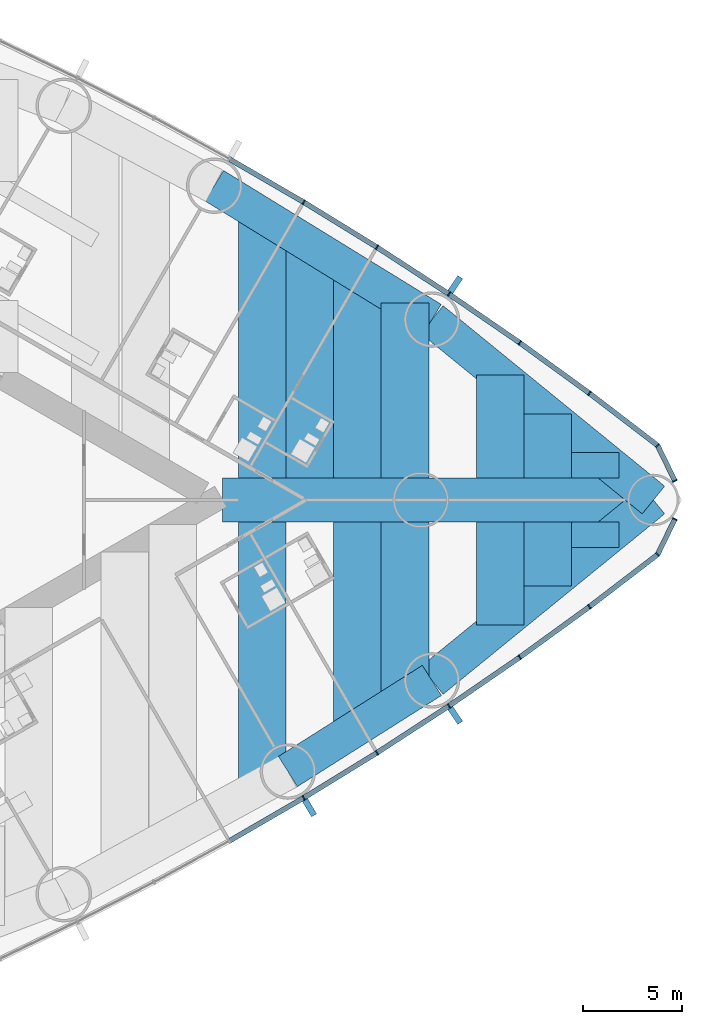
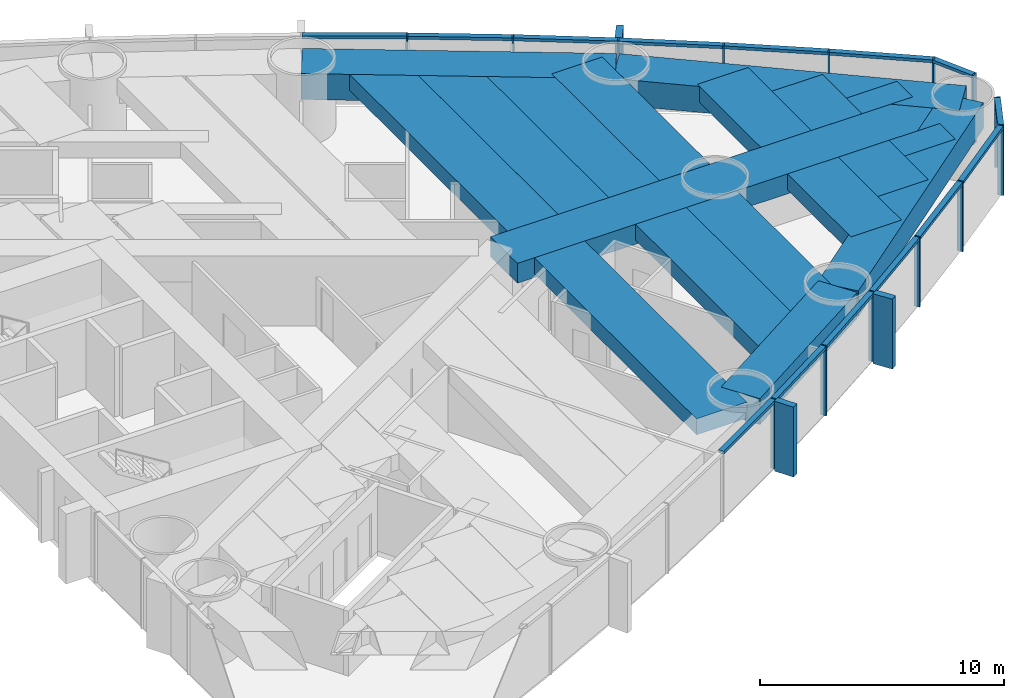
# One storey, part 8 of 19: 31 members, 18 beams, 2 elements without a shape of their own.
"""IFC4 building model written with IfcOpenShell, lengths in metres."""

from ifc_helpers import new_model, si_unit, direction, frame, origin, origin_2d, place, context, subcontext, project, spatial, rectangle, extrude, material, material_profile, profile_set, type_object, element, aggregate, save


model = new_model("IFC4")

# Units and contexts
model_context = context("Model", 3, precision=1e-05, world=origin(), true_north=direction((0.0, 1.0)))
body_context = subcontext(model_context, "Body", "Model", "MODEL_VIEW")
ifc_project = project(units=[si_unit("LENGTHUNIT", "METRE"), si_unit("AREAUNIT", "SQUARE_METRE"), si_unit("VOLUMEUNIT", "CUBIC_METRE"), si_unit("PLANEANGLEUNIT", "RADIAN"), si_unit("MASSUNIT", "GRAM", prefix="KILO")], contexts=[model_context])

# Site, building, storey
site_placement = place(None, origin())
site = spatial("IfcSite", under=ifc_project, at=site_placement, CompositionType="ELEMENT")
building_placement = place(site_placement, origin())
building = spatial("IfcBuilding", under=site, at=building_placement, Name="Lancet Gate Hotel", CompositionType="ELEMENT")
storey_placement = place(building_placement, frame((0.0, 0.0, 25.0)))
storey = spatial("IfcBuildingStorey", under=building, at=storey_placement, Name="L05", CompositionType="ELEMENT", Elevation=25.0)

# Curtain wall, members
ifc_material_1 = material(Name="Aluminium curtain wall", Category="aluminium")
curtain_wall_type = type_object("IfcCurtainWallType", Name="Tower unitised curtain wall", PredefinedType="USERDEFINED", material=ifc_material_1)
curtain_wall_1_placement = place(storey_placement, origin())
curtain_wall_1 = element("IfcCurtainWall", 1, at=curtain_wall_1_placement, inside=storey, type_object=curtain_wall_type, Name="T2 L05 curtain wall 2", ObjectType="UNITISED CURTAIN WALL", PredefinedType="USERDEFINED")
ifc_material_2 = material(Name="Aluminium mullion", Category="aluminium")
ifc_material_profile_1 = material_profile(ifc_material_2, rectangle(XDim=0.06494140625, YDim=0.25, at=origin_2d()), Name="MULLION 65x250")
ifc_profile_set_1 = profile_set([ifc_material_profile_1], Name="Aluminium mullion")
member_type_1 = type_object("IfcMemberType", Name="Aluminium mullion 65x250", PredefinedType="MULLION", material=ifc_profile_set_1)
member_1_placement = place(storey_placement, frame((55.590087890625, -15.03125, 0.0), z_axis=(0.0, 0.0, 1.0), x_axis=(0.858413008828, 0.512959166284, 0.0)))
member_1 = element("IfcMember", 2, at=member_1_placement, type_object=member_type_1, Name="T2 L05 curtain wall 2 mullion 8", PredefinedType="MULLION", context=body_context, shape_type="SweptSolid", body=[
    extrude(rectangle(XDim=0.06494140625, YDim=0.25, at=origin_2d()), origin(), (0.0, 0.0, 1.0), 3.5),
])
member_2_placement = place(storey_placement, frame((59.28515625, -12.7587890625, 0.0), z_axis=(0.0, 0.0, 1.0), x_axis=(0.845079420983, 0.534640788035, 0.0)))
member_2 = element("IfcMember", 3, at=member_2_placement, type_object=member_type_1, Name="T2 L05 curtain wall 2 mullion 9", PredefinedType="MULLION", context=body_context, shape_type="SweptSolid", body=[
    extrude(rectangle(XDim=0.06494140625, YDim=0.25, at=origin_2d()), origin(), (0.0, 0.0, 1.0), 3.5),
])
member_3_placement = place(storey_placement, frame((62.921142578125, -10.393310546875, 0.0), z_axis=(0.0, 0.0, 1.0), x_axis=(0.831198325377, 0.555976028162, 0.0)))
member_3 = element("IfcMember", 4, at=member_3_placement, type_object=member_type_1, Name="T2 L05 curtain wall 2 mullion 10", PredefinedType="MULLION", context=body_context, shape_type="SweptSolid", body=[
    extrude(rectangle(XDim=0.06494140625, YDim=0.25, at=origin_2d()), origin(), (0.0, 0.0, 1.0), 3.5),
])
member_4_placement = place(storey_placement, frame((66.49560546875, -7.935791015625, 0.0), z_axis=(0.0, 0.0, 1.0), x_axis=(0.816778715254, 0.576951064049, 0.0)))
member_4 = element("IfcMember", 5, at=member_4_placement, type_object=member_type_1, Name="T2 L05 curtain wall 2 mullion 11", PredefinedType="MULLION", context=body_context, shape_type="SweptSolid", body=[
    extrude(rectangle(XDim=0.06494140625, YDim=0.25, at=origin_2d()), origin(), (0.0, 0.0, 1.0), 3.5),
])
member_5_placement = place(storey_placement, frame((70.00634765625, -5.388427734375, 0.0), z_axis=(0.0, 0.0, 1.0), x_axis=(0.801829932754, 0.597552306447, 0.0)))
member_5 = element("IfcMember", 6, at=member_5_placement, type_object=member_type_1, Name="T2 L05 curtain wall 2 mullion 12", PredefinedType="MULLION", context=body_context, shape_type="SweptSolid", body=[
    extrude(rectangle(XDim=0.06494140625, YDim=0.25, at=origin_2d()), origin(), (0.0, 0.0, 1.0), 3.5),
])
member_6_placement = place(storey_placement, frame((73.451416015625, -2.752197265625, 0.0), z_axis=(0.0, 0.0, 1.0), x_axis=(0.697983022443, 0.716114306784, 0.0)))
member_6 = element("IfcMember", 7, at=member_6_placement, type_object=member_type_1, Name="T2 L05 curtain wall 2 mullion 13", PredefinedType="MULLION", context=body_context, shape_type="SweptSolid", body=[
    extrude(rectangle(XDim=0.06494140625, YDim=0.25, at=origin_2d()), origin(), (0.0, 0.0, 1.0), 3.5),
])
member_7_placement = place(storey_placement, frame((74.322265625, -0.96044921875, 0.0), z_axis=(0.0, 0.0, 1.0), x_axis=(0.437169070119, 0.899379343843, 0.0)))
member_7 = element("IfcMember", 8, at=member_7_placement, type_object=member_type_1, Name="T2 L05 curtain wall 2 mullion 14", PredefinedType="MULLION", context=body_context, shape_type="SweptSolid", body=[
    extrude(rectangle(XDim=0.06494140625, YDim=0.25, at=origin_2d()), origin(), (0.0, 0.0, 1.0), 3.5),
])

curtain_wall_2_placement = place(storey_placement, origin())
curtain_wall_2 = element("IfcCurtainWall", 9, at=curtain_wall_2_placement, inside=storey, type_object=curtain_wall_type, Name="T2 L05 curtain wall 3", ObjectType="UNITISED CURTAIN WALL", PredefinedType="USERDEFINED")
member_8_placement = place(storey_placement, frame((74.322265625, 0.96044921875, 0.0), z_axis=(0.0, 0.0, 1.0), x_axis=(-0.437169070119, 0.899379343843, 0.0)))
member_8 = element("IfcMember", 10, at=member_8_placement, type_object=member_type_1, Name="T2 L05 curtain wall 3 mullion 1", PredefinedType="MULLION", context=body_context, shape_type="SweptSolid", body=[
    extrude(rectangle(XDim=0.06494140625, YDim=0.25, at=origin_2d()), origin(), (0.0, 0.0, 1.0), 3.5),
])
member_9_placement = place(storey_placement, frame((73.451416015625, 2.752197265625, 0.0), z_axis=(0.0, 0.0, 1.0), x_axis=(-0.697983022443, 0.716114306784, 0.0)))
member_9 = element("IfcMember", 11, at=member_9_placement, type_object=member_type_1, Name="T2 L05 curtain wall 3 mullion 2", PredefinedType="MULLION", context=body_context, shape_type="SweptSolid", body=[
    extrude(rectangle(XDim=0.06494140625, YDim=0.25, at=origin_2d()), origin(), (0.0, 0.0, 1.0), 3.5),
])
member_10_placement = place(storey_placement, frame((70.00634765625, 5.388427734375, 0.0), z_axis=(0.0, 0.0, 1.0), x_axis=(-0.801829932754, 0.597552306447, 0.0)))
member_10 = element("IfcMember", 12, at=member_10_placement, type_object=member_type_1, Name="T2 L05 curtain wall 3 mullion 3", PredefinedType="MULLION", context=body_context, shape_type="SweptSolid", body=[
    extrude(rectangle(XDim=0.06494140625, YDim=0.25, at=origin_2d()), origin(), (0.0, 0.0, 1.0), 3.5),
])
member_11_placement = place(storey_placement, frame((66.49560546875, 7.935791015625, 0.0), z_axis=(0.0, 0.0, 1.0), x_axis=(-0.816778715254, 0.576951064049, 0.0)))
member_11 = element("IfcMember", 13, at=member_11_placement, type_object=member_type_1, Name="T2 L05 curtain wall 3 mullion 4", PredefinedType="MULLION", context=body_context, shape_type="SweptSolid", body=[
    extrude(rectangle(XDim=0.06494140625, YDim=0.25, at=origin_2d()), origin(), (0.0, 0.0, 1.0), 3.5),
])
member_12_placement = place(storey_placement, frame((62.921142578125, 10.393310546875, 0.0), z_axis=(0.0, 0.0, 1.0), x_axis=(-0.831198325377, 0.555976028162, 0.0)))
member_12 = element("IfcMember", 14, at=member_12_placement, type_object=member_type_1, Name="T2 L05 curtain wall 3 mullion 5", PredefinedType="MULLION", context=body_context, shape_type="SweptSolid", body=[
    extrude(rectangle(XDim=0.06494140625, YDim=0.25, at=origin_2d()), origin(), (0.0, 0.0, 1.0), 3.5),
])
member_13_placement = place(storey_placement, frame((59.28515625, 12.7587890625, 0.0), z_axis=(0.0, 0.0, 1.0), x_axis=(-0.845079420983, 0.534640788035, 0.0)))
member_13 = element("IfcMember", 15, at=member_13_placement, type_object=member_type_1, Name="T2 L05 curtain wall 3 mullion 6", PredefinedType="MULLION", context=body_context, shape_type="SweptSolid", body=[
    extrude(rectangle(XDim=0.06494140625, YDim=0.25, at=origin_2d()), origin(), (0.0, 0.0, 1.0), 3.5),
])
member_14_placement = place(storey_placement, frame((55.590087890625, 15.03125, 0.0), z_axis=(0.0, 0.0, 1.0), x_axis=(-0.858413008828, 0.512959166284, 0.0)))
member_14 = element("IfcMember", 16, at=member_14_placement, type_object=member_type_1, Name="T2 L05 curtain wall 3 mullion 7", PredefinedType="MULLION", context=body_context, shape_type="SweptSolid", body=[
    extrude(rectangle(XDim=0.06494140625, YDim=0.25, at=origin_2d()), origin(), (0.0, 0.0, 1.0), 3.5),
])

# Member
ifc_material_3 = material(Name="Aluminium transom", Category="aluminium")
ifc_material_profile_2 = material_profile(ifc_material_3, rectangle(XDim=0.25, YDim=0.14990234375, at=origin_2d()), Name="TRANSOM 250x150")
ifc_profile_set_2 = profile_set([ifc_material_profile_2], Name="Aluminium transom")
member_type_2 = type_object("IfcMemberType", Name="Aluminium transom 250x150", PredefinedType="USERDEFINED", material=ifc_profile_set_2)
member_15_placement = place(storey_placement, frame((51.86669921875, -17.1923828125, 3.425048828125), z_axis=(0.864854571156, 0.502022480324, 0.0), x_axis=(-0.502022480324, 0.864854571156, 0.0)))
member_15 = element("IfcMember", 17, at=member_15_placement, type_object=member_type_2, Name="T2 L05 curtain wall 2 transom 7", ObjectType="TRANSOM", PredefinedType="USERDEFINED", context=body_context, shape_type="SweptSolid", body=[
    extrude(rectangle(XDim=0.25, YDim=0.14990234375, at=origin_2d()), origin(), (0.0, 0.0, 1.0), 4.272705078125),
])

member_16_placement = place(storey_placement, frame((55.617919921875, -15.01416015625, 3.425048828125), z_axis=(0.851815224451, 0.523842365023, 0.0), x_axis=(-0.523842365023, 0.851815224451, 0.0)))
member_16 = element("IfcMember", 18, at=member_16_placement, type_object=member_type_2, Name="T2 L05 curtain wall 2 transom 8", ObjectType="TRANSOM", PredefinedType="USERDEFINED", context=body_context, shape_type="SweptSolid", body=[
    extrude(rectangle(XDim=0.25, YDim=0.14990234375, at=origin_2d()), origin(), (0.0, 0.0, 1.0), 4.272705078125),
])

member_17_placement = place(storey_placement, frame((59.3125, -12.7412109375, 3.425048828125), z_axis=(0.83817850664, 0.545395994674, 0.0), x_axis=(-0.545395994674, 0.83817850664, 0.0)))
member_17 = element("IfcMember", 19, at=member_17_placement, type_object=member_type_2, Name="T2 L05 curtain wall 2 transom 9", ObjectType="TRANSOM", PredefinedType="USERDEFINED", context=body_context, shape_type="SweptSolid", body=[
    extrude(rectangle(XDim=0.25, YDim=0.14990234375, at=origin_2d()), origin(), (0.0, 0.0, 1.0), 4.272705078125),
])

member_18_placement = place(storey_placement, frame((62.94775390625, -10.374755859375, 3.425048828125), z_axis=(0.824071932869, 0.566485171437, 0.0), x_axis=(-0.566485171437, 0.824071932869, 0.0)))
member_18 = element("IfcMember", 20, at=member_18_placement, type_object=member_type_2, Name="T2 L05 curtain wall 2 transom 10", ObjectType="TRANSOM", PredefinedType="USERDEFINED", context=body_context, shape_type="SweptSolid", body=[
    extrude(rectangle(XDim=0.25, YDim=0.14990234375, at=origin_2d()), origin(), (0.0, 0.0, 1.0), 4.272705078125),
])

member_19_placement = place(storey_placement, frame((66.52197265625, -7.916748046875, 3.425048828125), z_axis=(0.809382971085, 0.587281198505, 0.0), x_axis=(-0.587281198505, 0.809382971085, 0.0)))
member_19 = element("IfcMember", 21, at=member_19_placement, type_object=member_type_2, Name="T2 L05 curtain wall 2 transom 11", ObjectType="TRANSOM", PredefinedType="USERDEFINED", context=body_context, shape_type="SweptSolid", body=[
    extrude(rectangle(XDim=0.25, YDim=0.14990234375, at=origin_2d()), origin(), (0.0, 0.0, 1.0), 4.272705078125),
])

member_20_placement = place(storey_placement, frame((70.0322265625, -5.36865234375, 3.425048828125), z_axis=(0.794155062652, 0.607715177089, 0.0), x_axis=(-0.607715177089, 0.794155062652, 0.0)))
member_20 = element("IfcMember", 22, at=member_20_placement, type_object=member_type_2, Name="T2 L05 curtain wall 2 transom 12", ObjectType="TRANSOM", PredefinedType="USERDEFINED", context=body_context, shape_type="SweptSolid", body=[
    extrude(rectangle(XDim=0.25, YDim=0.14990234375, at=origin_2d()), origin(), (0.0, 0.0, 1.0), 4.27294921875),
])

member_21_placement = place(storey_placement, frame((73.465576171875, -2.72314453125, 3.425048828125), z_axis=(0.437103060611, 0.899411426659, 0.0), x_axis=(-0.899411426659, 0.437103060611, 0.0)))
member_21 = element("IfcMember", 23, at=member_21_placement, type_object=member_type_2, Name="T2 L05 curtain wall 2 transom 13", ObjectType="TRANSOM", PredefinedType="USERDEFINED", context=body_context, shape_type="SweptSolid", body=[
    extrude(rectangle(XDim=0.25, YDim=0.14990234375, at=origin_2d()), origin(), (0.0, 0.0, 1.0), 1.927490234375),
])

member_22_placement = place(storey_placement, frame((74.30810546875, 0.989501953125, 3.425048828125), z_axis=(-0.437103060611, 0.899411426659, 0.0), x_axis=(-0.899411426659, -0.437103060611, 0.0)))
member_22 = element("IfcMember", 24, at=member_22_placement, type_object=member_type_2, Name="T2 L05 curtain wall 3 transom 1", ObjectType="TRANSOM", PredefinedType="USERDEFINED", context=body_context, shape_type="SweptSolid", body=[
    extrude(rectangle(XDim=0.25, YDim=0.14990234375, at=origin_2d()), origin(), (0.0, 0.0, 1.0), 1.927490234375),
])

member_23_placement = place(storey_placement, frame((73.425537109375, 2.77197265625, 3.425048828125), z_axis=(-0.794155062652, 0.607715177089, 0.0), x_axis=(-0.607715177089, -0.794155062652, 0.0)))
member_23 = element("IfcMember", 25, at=member_23_placement, type_object=member_type_2, Name="T2 L05 curtain wall 3 transom 2", ObjectType="TRANSOM", PredefinedType="USERDEFINED", context=body_context, shape_type="SweptSolid", body=[
    extrude(rectangle(XDim=0.25, YDim=0.14990234375, at=origin_2d()), origin(), (0.0, 0.0, 1.0), 4.27294921875),
])

member_24_placement = place(storey_placement, frame((69.980224609375, 5.407470703125, 3.425048828125), z_axis=(-0.809382971085, 0.587281198505, 0.0), x_axis=(-0.587281198505, -0.809382971085, 0.0)))
member_24 = element("IfcMember", 26, at=member_24_placement, type_object=member_type_2, Name="T2 L05 curtain wall 3 transom 3", ObjectType="TRANSOM", PredefinedType="USERDEFINED", context=body_context, shape_type="SweptSolid", body=[
    extrude(rectangle(XDim=0.25, YDim=0.14990234375, at=origin_2d()), origin(), (0.0, 0.0, 1.0), 4.272705078125),
])

member_25_placement = place(storey_placement, frame((66.46875, 7.954345703125, 3.425048828125), z_axis=(-0.824071932869, 0.566485171437, 0.0), x_axis=(-0.566485171437, -0.824071932869, 0.0)))
member_25 = element("IfcMember", 27, at=member_25_placement, type_object=member_type_2, Name="T2 L05 curtain wall 3 transom 4", ObjectType="TRANSOM", PredefinedType="USERDEFINED", context=body_context, shape_type="SweptSolid", body=[
    extrude(rectangle(XDim=0.25, YDim=0.14990234375, at=origin_2d()), origin(), (0.0, 0.0, 1.0), 4.272705078125),
])

member_26_placement = place(storey_placement, frame((62.893798828125, 10.410888671875, 3.425048828125), z_axis=(-0.83817850664, 0.545395994674, 0.0), x_axis=(-0.545395994674, -0.83817850664, 0.0)))
member_26 = element("IfcMember", 28, at=member_26_placement, type_object=member_type_2, Name="T2 L05 curtain wall 3 transom 5", ObjectType="TRANSOM", PredefinedType="USERDEFINED", context=body_context, shape_type="SweptSolid", body=[
    extrude(rectangle(XDim=0.25, YDim=0.14990234375, at=origin_2d()), origin(), (0.0, 0.0, 1.0), 4.272705078125),
])

member_27_placement = place(storey_placement, frame((59.257568359375, 12.77587890625, 3.425048828125), z_axis=(-0.851815224451, 0.523842365023, 0.0), x_axis=(-0.523842365023, -0.851815224451, 0.0)))
member_27 = element("IfcMember", 29, at=member_27_placement, type_object=member_type_2, Name="T2 L05 curtain wall 3 transom 6", ObjectType="TRANSOM", PredefinedType="USERDEFINED", context=body_context, shape_type="SweptSolid", body=[
    extrude(rectangle(XDim=0.25, YDim=0.14990234375, at=origin_2d()), origin(), (0.0, 0.0, 1.0), 4.272705078125),
])

member_28_placement = place(storey_placement, frame((55.56201171875, 15.04736328125, 3.425048828125), z_axis=(-0.864854571156, 0.502022480324, 0.0), x_axis=(-0.502022480324, -0.864854571156, 0.0)))
member_28 = element("IfcMember", 30, at=member_28_placement, type_object=member_type_2, Name="T2 L05 curtain wall 3 transom 7", ObjectType="TRANSOM", PredefinedType="USERDEFINED", context=body_context, shape_type="SweptSolid", body=[
    extrude(rectangle(XDim=0.25, YDim=0.14990234375, at=origin_2d()), origin(), (0.0, 0.0, 1.0), 4.272705078125),
])

# Beams
ifc_material_4 = material(Name="Concrete C50/60", Category="concrete")
ifc_material_profile_3 = material_profile(ifc_material_4, rectangle(XDim=1.800048828125, YDim=1.300048828125, at=origin_2d()), Name="RC 1800x1300")
ifc_profile_set_3 = profile_set([ifc_material_profile_3], Name="Concrete C50/60")
beam_type_1 = type_object("IfcBeamType", Name="Edge beam RC 1800x1300", PredefinedType="SPANDREL", material=ifc_profile_set_3)
beam_1_placement = place(storey_placement, frame((54.795166015625, -13.70068359375, 2.60009765625), z_axis=(0.845078312276, 0.534642540508, 0.0), x_axis=(-0.534642540508, 0.845078312276, 0.0)))
element("IfcBeam", 31, at=beam_1_placement, inside=storey, type_object=beam_type_1, Name="T2 edge beam EB1 L05", PredefinedType="SPANDREL", context=body_context, shape_type="SweptSolid", body=[
    extrude(rectangle(XDim=1.800048828125, YDim=1.300048828125, at=origin_2d()), origin(), (0.0, 0.0, 1.0), 8.595947265625),
])
for number, where, z_axis, x_axis, name in (
    (32, (62.059326171875, -9.10498046875, 2.60009765625), (0.775390970005, 0.631481467372, 0.0), (-0.631481467372, 0.775390970005, 0.0), "T2 edge beam EB1 L05"),
    (33, (73.2392578125, 0.0, 2.60009765625), (-0.775390970005, 0.631481467372, 0.0), (-0.631481467372, -0.775390970005, 0.0), "T2 edge beam EB1 L05"),
):
    element("IfcBeam", number, at=place(storey_placement, frame(where, z_axis=z_axis, x_axis=x_axis)), inside=storey, type_object=beam_type_1, Name=name, PredefinedType="SPANDREL", context=body_context, shape_type="SweptSolid", body=[
        extrude(rectangle(XDim=1.800048828125, YDim=1.300048828125, at=origin_2d()), origin(), (0.0, 0.0, 1.0), 14.41845703125),
    ])
beam_2_placement = place(storey_placement, frame((62.059326171875, 9.10498046875, 2.60009765625), z_axis=(-0.851815628025, 0.523841708775, 0.0), x_axis=(-0.523841708775, -0.851815628025, 0.0)))
element("IfcBeam", 34, at=beam_2_placement, inside=storey, type_object=beam_type_1, Name="T2 edge beam EB1 L05", PredefinedType="SPANDREL", context=body_context, shape_type="SweptSolid", body=[
    extrude(rectangle(XDim=1.800048828125, YDim=1.300048828125, at=origin_2d()), origin(), (0.0, 0.0, 1.0), 12.89208984375),
])

# Member
ifc_material_5 = material(Name="Precast concrete C50/60", Category="concrete")
ifc_material_profile_4 = material_profile(ifc_material_5, rectangle(XDim=0.300048828125, YDim=0.89990234375, at=origin_2d()), Name="FIN 300x900")
ifc_profile_set_4 = profile_set([ifc_material_profile_4], Name="Precast concrete C50/60")
member_type_3 = type_object("IfcMemberType", Name="Exposed concrete fin 300x900", PredefinedType="USERDEFINED", material=ifc_profile_set_4)
member_29_placement = place(storey_placement, frame((55.88525390625, -15.524658203125, 0.0), z_axis=(0.0, 0.0, 1.0), x_axis=(0.858413008828, 0.512959166284, 0.0)))
member_29 = element("IfcMember", 35, at=member_29_placement, type_object=member_type_3, Name="T2 L05 curtain wall 2 fin 8", ObjectType="FIN", PredefinedType="USERDEFINED", context=body_context, shape_type="SweptSolid", body=[
    extrude(rectangle(XDim=0.300048828125, YDim=0.89990234375, at=origin_2d()), origin(), (0.0, 0.0, 1.0), 3.5),
])

member_30_placement = place(storey_placement, frame((63.24072265625, -10.87109375, 0.0), z_axis=(0.0, 0.0, 1.0), x_axis=(0.831198325377, 0.555976028162, 0.0)))
member_30 = element("IfcMember", 36, at=member_30_placement, type_object=member_type_3, Name="T2 L05 curtain wall 2 fin 10", ObjectType="FIN", PredefinedType="USERDEFINED", context=body_context, shape_type="SweptSolid", body=[
    extrude(rectangle(XDim=0.300048828125, YDim=0.89990234375, at=origin_2d()), origin(), (0.0, 0.0, 1.0), 3.5),
])

aggregate(curtain_wall_1, [member_1, member_29, member_2, member_3, member_30, member_4, member_5, member_6, member_7, member_15, member_16, member_17, member_18, member_19, member_20, member_21])

member_31_placement = place(storey_placement, frame((63.24072265625, 10.87109375, 0.0), z_axis=(0.0, 0.0, 1.0), x_axis=(-0.831198325377, 0.555976028162, 0.0)))
member_31 = element("IfcMember", 37, at=member_31_placement, type_object=member_type_3, Name="T2 L05 curtain wall 3 fin 5", ObjectType="FIN", PredefinedType="USERDEFINED", context=body_context, shape_type="SweptSolid", body=[
    extrude(rectangle(XDim=0.300048828125, YDim=0.89990234375, at=origin_2d()), origin(), (0.0, 0.0, 1.0), 3.5),
])

aggregate(curtain_wall_2, [member_8, member_9, member_10, member_11, member_12, member_31, member_13, member_14, member_22, member_23, member_24, member_25, member_26, member_27, member_28])

# Beams
ifc_material_6 = material(Name="Concrete C50/60", Category="concrete")
ifc_material_profile_5 = material_profile(ifc_material_6, rectangle(XDim=2.39990234375, YDim=0.800048828125, at=origin_2d()), Name="RC 2400x800")
ifc_profile_set_5 = profile_set([ifc_material_profile_5], Name="Concrete C50/60")
beam_type_2 = type_object("IfcBeamType", Name="Floor beam RC 2400x800", PredefinedType="BEAM", material=ifc_profile_set_5)
beam_3_placement = place(storey_placement, frame((53.502197265625, -14.40771484375, 2.85009765625), z_axis=(0.0, 1.0, 0.0), x_axis=(-1.0, 0.0, 0.0)))
element("IfcBeam", 38, at=beam_3_placement, inside=storey, type_object=beam_type_2, Name="T2 floor beam F16S L05", PredefinedType="BEAM", context=body_context, shape_type="SweptSolid", body=[
    extrude(rectangle(XDim=2.39990234375, YDim=0.800048828125, at=origin_2d()), origin(), (0.0, 0.0, 1.0), 13.3076171875),
])
beam_4_placement = place(storey_placement, frame((53.502197265625, 1.10009765625, 2.85009765625), z_axis=(0.0, 1.0, 0.0), x_axis=(-1.0, 0.0, 0.0)))
element("IfcBeam", 39, at=beam_4_placement, inside=storey, type_object=beam_type_2, Name="T2 floor beam F17N L05", PredefinedType="BEAM", context=body_context, shape_type="SweptSolid", body=[
    extrude(rectangle(XDim=2.39990234375, YDim=0.800048828125, at=origin_2d()), origin(), (0.0, 0.0, 1.0), 13.26708984375),
])
beam_5_placement = place(storey_placement, frame((55.90234375, 1.10009765625, 2.85009765625), z_axis=(0.0, 1.0, 0.0), x_axis=(-1.0, 0.0, 0.0)))
element("IfcBeam", 40, at=beam_5_placement, inside=storey, type_object=beam_type_2, Name="T2 floor beam F18N L05", PredefinedType="BEAM", context=body_context, shape_type="SweptSolid", body=[
    extrude(rectangle(XDim=2.39990234375, YDim=0.800048828125, at=origin_2d()), origin(), (0.0, 0.0, 1.0), 11.791259765625),
])
beam_6_placement = place(storey_placement, frame((58.30224609375, -11.48193359375, 2.85009765625), z_axis=(0.0, 1.0, 0.0), x_axis=(-1.0, 0.0, 0.0)))
element("IfcBeam", 41, at=beam_6_placement, inside=storey, type_object=beam_type_2, Name="T2 floor beam F19S L05", PredefinedType="BEAM", context=body_context, shape_type="SweptSolid", body=[
    extrude(rectangle(XDim=2.39990234375, YDim=0.800048828125, at=origin_2d()), origin(), (0.0, 0.0, 1.0), 10.3818359375),
])
beam_7_placement = place(storey_placement, frame((58.30224609375, 1.10009765625, 2.85009765625), z_axis=(0.0, 1.0, 0.0), x_axis=(-1.0, 0.0, 0.0)))
element("IfcBeam", 42, at=beam_7_placement, inside=storey, type_object=beam_type_2, Name="T2 floor beam F20N L05", PredefinedType="BEAM", context=body_context, shape_type="SweptSolid", body=[
    extrude(rectangle(XDim=2.39990234375, YDim=0.800048828125, at=origin_2d()), origin(), (0.0, 0.0, 1.0), 10.3154296875),
])
beam_8_placement = place(storey_placement, frame((60.7021484375, -9.96337890625, 2.85009765625), z_axis=(0.0, 1.0, 0.0), x_axis=(-1.0, 0.0, 0.0)))
element("IfcBeam", 43, at=beam_8_placement, inside=storey, type_object=beam_type_2, Name="T2 floor beam F21S L05", PredefinedType="BEAM", context=body_context, shape_type="SweptSolid", body=[
    extrude(rectangle(XDim=2.39990234375, YDim=0.800048828125, at=origin_2d()), origin(), (0.0, 0.0, 1.0), 8.86328125),
])
beam_9_placement = place(storey_placement, frame((60.7021484375, 1.10009765625, 2.85009765625), z_axis=(0.0, 1.0, 0.0), x_axis=(-1.0, 0.0, 0.0)))
element("IfcBeam", 44, at=beam_9_placement, inside=storey, type_object=beam_type_2, Name="T2 floor beam F22N L05", PredefinedType="BEAM", context=body_context, shape_type="SweptSolid", body=[
    extrude(rectangle(XDim=2.39990234375, YDim=0.800048828125, at=origin_2d()), origin(), (0.0, 0.0, 1.0), 8.83935546875),
])
for number, where, z_axis, x_axis, name in (
    (45, (65.502197265625, -6.301025390625, 2.85009765625), (0.0, 1.0, 0.0), (-1.0, 0.0, 0.0), "T2 floor beam F23S L05"),
    (46, (65.502197265625, 1.10009765625, 2.85009765625), (0.0, 1.0, 0.0), (-1.0, 0.0, 0.0), "T2 floor beam F24N L05"),
):
    element("IfcBeam", number, at=place(storey_placement, frame(where, z_axis=z_axis, x_axis=x_axis)), inside=storey, type_object=beam_type_2, Name=name, PredefinedType="BEAM", context=body_context, shape_type="SweptSolid", body=[
        extrude(rectangle(XDim=2.39990234375, YDim=0.800048828125, at=origin_2d()), origin(), (0.0, 0.0, 1.0), 5.200927734375),
    ])
for number, where, z_axis, x_axis, name in (
    (47, (67.90234375, -4.346435546875, 2.85009765625), (0.0, 1.0, 0.0), (-1.0, 0.0, 0.0), "T2 floor beam F25S L05"),
    (48, (67.90234375, 1.10009765625, 2.85009765625), (0.0, 1.0, 0.0), (-1.0, 0.0, 0.0), "T2 floor beam F26N L05"),
):
    element("IfcBeam", number, at=place(storey_placement, frame(where, z_axis=z_axis, x_axis=x_axis)), inside=storey, type_object=beam_type_2, Name=name, PredefinedType="BEAM", context=body_context, shape_type="SweptSolid", body=[
        extrude(rectangle(XDim=2.39990234375, YDim=0.800048828125, at=origin_2d()), origin(), (0.0, 0.0, 1.0), 3.246337890625),
    ])
for number, where, z_axis, x_axis, name in (
    (49, (70.30224609375, -2.391845703125, 2.85009765625), (0.0, 1.0, 0.0), (-1.0, 0.0, 0.0), "T2 floor beam F27S L05"),
    (50, (70.30224609375, 1.10009765625, 2.85009765625), (0.0, 1.0, 0.0), (-1.0, 0.0, 0.0), "T2 floor beam F28N L05"),
):
    element("IfcBeam", number, at=place(storey_placement, frame(where, z_axis=z_axis, x_axis=x_axis)), inside=storey, type_object=beam_type_2, Name=name, PredefinedType="BEAM", context=body_context, shape_type="SweptSolid", body=[
        extrude(rectangle(XDim=2.39990234375, YDim=0.800048828125, at=origin_2d()), origin(), (0.0, 0.0, 1.0), 1.291748046875),
    ])
ifc_material_7 = material(Name="Concrete C50/60", Category="concrete")
ifc_material_profile_6 = material_profile(ifc_material_7, rectangle(XDim=2.199951171875, YDim=1.0, at=origin_2d()), Name="RC 2200x1000")
ifc_profile_set_6 = profile_set([ifc_material_profile_6], Name="Concrete C50/60")
beam_type_3 = type_object("IfcBeamType", Name="Radial floor beam RC 2200x1000", PredefinedType="BEAM", material=ifc_profile_set_6)
beam_10_placement = place(storey_placement, frame((73.2392578125, 0.0, 2.75), z_axis=(-1.0, 0.0, 0.0), x_axis=(0.0, -1.0, 0.0)))
element("IfcBeam", 51, at=beam_10_placement, inside=storey, type_object=beam_type_3, Name="T2 radial beam CA L05", PredefinedType="BEAM", context=body_context, shape_type="SweptSolid", body=[
    extrude(rectangle(XDim=2.199951171875, YDim=1.0, at=origin_2d()), origin(), (0.0, 0.0, 1.0), 21.737060546875),
])

save(model, "model.ifc")
